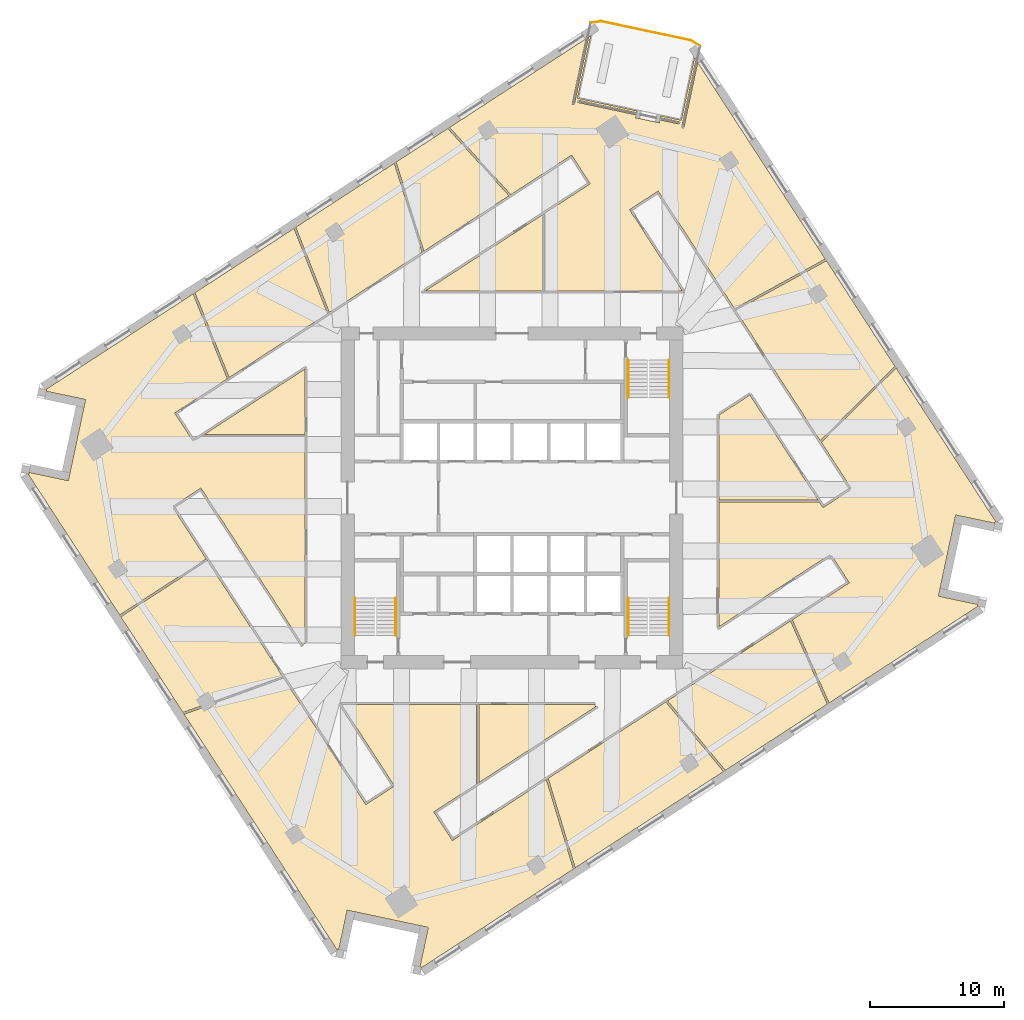
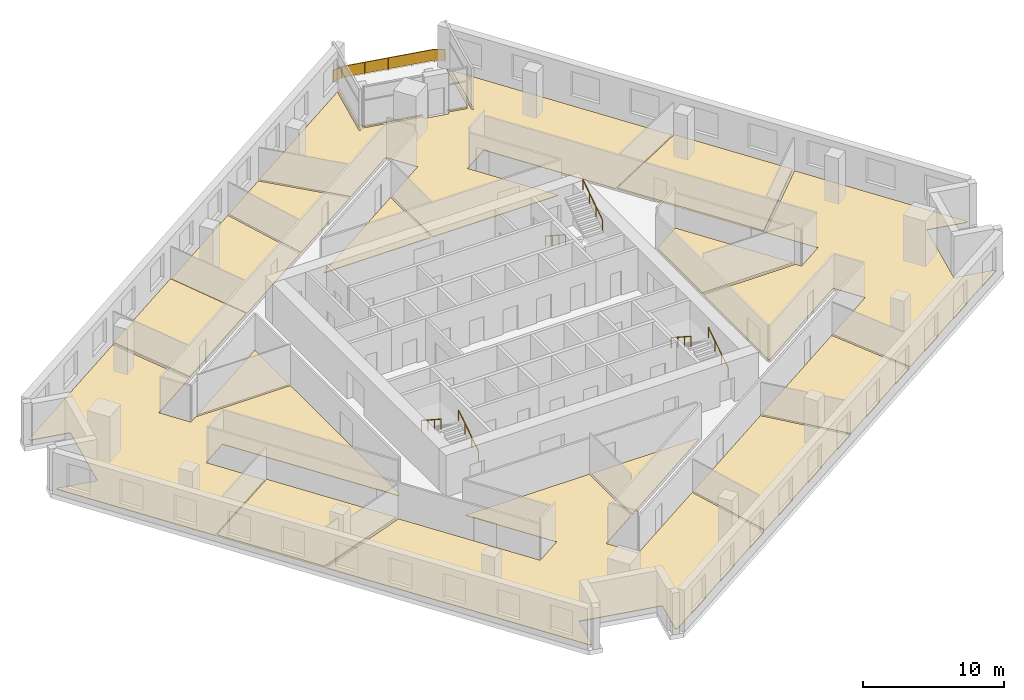
# One storey, part 11 of 12: 15 coverings, 7 railings.
"""IFC4 building model written with IfcOpenShell, lengths in metres."""

from ifc_helpers import new_model, si_unit, direction, frame, origin, origin_2d, place, context, subcontext, project, spatial, polyline, rectangle, circle, outline, extrude, material, layer, layer_set, type_object, element, save


model = new_model("IFC4")

# Units and contexts
model_context = context("Model", 3, precision=1e-05, world=origin(), true_north=direction((0.0, 1.0)))
body_context = subcontext(model_context, "Body", "Model", "MODEL_VIEW")
ifc_project = project(units=[si_unit("LENGTHUNIT", "METRE"), si_unit("AREAUNIT", "SQUARE_METRE"), si_unit("VOLUMEUNIT", "CUBIC_METRE"), si_unit("PLANEANGLEUNIT", "RADIAN"), si_unit("MASSUNIT", "GRAM", prefix="KILO")], contexts=[model_context])

# Site, building, storey
site_placement = place(None, origin())
site = spatial("IfcSite", under=ifc_project, at=site_placement, CompositionType="ELEMENT")
building_placement = place(site_placement, origin())
building = spatial("IfcBuilding", under=site, at=building_placement, Name="Dilmun Exchange Tower", CompositionType="ELEMENT")
storey_placement = place(building_placement, frame((0.0, 0.0, 159.699951171875)))
storey = spatial("IfcBuildingStorey", under=building, at=storey_placement, Name="L37", CompositionType="ELEMENT", Elevation=159.699951171875)

# Coverings
ifc_material_1 = material(Name="Carpet floor finish 50")
ifc_layer_1 = layer(ifc_material_1, 0.050048828125)
ifc_layer_set_1 = layer_set([ifc_layer_1], Name="Carpet floor finish 50")
covering_type_1 = type_object("IfcCoveringType", Name="Carpet floor finish 50", PredefinedType="FLOORING", material=ifc_layer_set_1)
covering_1_placement = place(storey_placement, origin())
element("IfcCovering", 1, at=covering_1_placement, inside=storey, type_object=covering_type_1, Name="Carpet floor finish 50 Open office 1", PredefinedType="FLOORING", context=body_context, shape_type="SweptSolid", body=[
    extrude(outline(polyline([(-23.27685546875, 0.72998046875), (-25.415283203125, -0.658935546875), (-22.8759765625, -4.5693359375), (-29.35791015625, -8.769775390625), (-36.230712890625, 1.813720703125), (-36.16162109375, 1.798828125), (-36.161376953125, 1.798828125), (-36.1611328125, 1.798828125), (-36.160888671875, 1.798828125), (-36.16064453125, 1.798828125), (-36.160400390625, 1.798828125), (-36.160400390625, 1.799072265625), (-36.16015625, 1.799072265625), (-36.159912109375, 1.799072265625), (-36.159912109375, 1.79931640625), (-36.15966796875, 1.79931640625), (-36.159423828125, 1.799560546875), (-36.159423828125, 1.7998046875), (-36.1591796875, 1.7998046875), (-36.1591796875, 1.800048828125), (-36.1591796875, 1.80029296875), (-36.1591796875, 1.80029296875), (-36.136474609375, 1.9072265625), (-33.203857421875, 1.283935546875), (-33.20361328125, 1.283935546875), (-33.20361328125, 1.283935546875), (-33.203369140625, 1.283935546875), (-33.203125, 1.283935546875), (-33.202880859375, 1.283935546875), (-33.20263671875, 1.2841796875), (-33.202392578125, 1.2841796875), (-33.202392578125, 1.2841796875), (-33.2021484375, 1.284423828125), (-33.2021484375, 1.284423828125), (-33.201904296875, 1.28466796875), (-33.201904296875, 1.284912109375), (-33.20166015625, 1.284912109375), (-33.20166015625, 1.28515625), (-33.20166015625, 1.285400390625), (-33.201416015625, 1.285400390625), (-33.076904296875, 1.872314453125), (-33.07666015625, 1.87255859375), (-33.07666015625, 1.872802734375), (-32.037109375, 6.76318359375), (-32.037109375, 6.76318359375), (-32.037109375, 6.763427734375), (-31.91259765625, 7.35009765625), (-31.912353515625, 7.35009765625), (-31.912353515625, 7.350341796875), (-31.912353515625, 7.3505859375), (-31.91259765625, 7.350830078125), (-31.91259765625, 7.35107421875), (-31.91259765625, 7.351318359375), (-31.91259765625, 7.351318359375), (-31.912841796875, 7.3515625), (-31.912841796875, 7.351806640625), (-31.9130859375, 7.351806640625), (-31.9130859375, 7.35205078125), (-31.913330078125, 7.35205078125), (-31.91357421875, 7.352294921875), (-31.91357421875, 7.352294921875), (-31.913818359375, 7.352294921875), (-31.9140625, 7.352294921875), (-34.846435546875, 7.9755859375), (-34.82373046875, 8.08251953125), (-34.82373046875, 8.082763671875), (-34.82373046875, 8.0830078125), (-34.82373046875, 8.083251953125), (-34.82373046875, 8.08349609375), (-34.82373046875, 8.08349609375), (-34.823974609375, 8.083740234375), (-34.823974609375, 8.083984375), (-34.82421875, 8.083984375), (-34.82421875, 8.084228515625), (-34.82421875, 8.08447265625), (-34.824462890625, 8.084716796875), (-34.82470703125, 8.084716796875), (-34.82470703125, 8.084716796875), (-34.824951171875, 8.0849609375), (-34.8251953125, 8.0849609375), (-34.8251953125, 8.0849609375), (-34.894775390625, 8.099609375), (-23.85595703125, 15.268310546875), (-21.294189453125, 8.91455078125), (-25.238037109375, 6.353515625), (-23.84912109375, 4.21484375), (-23.259033203125, 4.59814453125), (-15.47509765625, 4.59814453125), (-15.47509765625, -10.8701171875), (-15.6640625, -10.992919921875), (-23.27685546875, 0.72998046875)])), origin(), (0.0, 0.0, 1.0), 0.050048828125),
])
covering_2_placement = place(storey_placement, origin())
element("IfcCovering", 2, at=covering_2_placement, inside=storey, type_object=covering_type_1, Name="Carpet floor finish 50 Break-out lounge 1", PredefinedType="FLOORING", context=body_context, shape_type="SweptSolid", body=[
    extrude(outline(polyline([(-15.47509765625, 4.748046875), (-23.028076171875, 4.748046875), (-15.47509765625, 9.653076171875), (-15.47509765625, 4.748046875)])), origin(), (0.0, 0.0, 1.0), 0.050048828125),
])
covering_3_placement = place(storey_placement, origin())
element("IfcCovering", 3, at=covering_3_placement, inside=storey, type_object=covering_type_1, Name="Carpet floor finish 50 Open office 2", PredefinedType="FLOORING", context=body_context, shape_type="SweptSolid", body=[
    extrude(outline(polyline([(-17.07958984375, -13.4951171875), (-10.939453125, -22.9501953125), (-8.80078125, -21.561279296875), (-12.753173828125, -15.47509765625), (-2.6025390625, -15.47509765625), (-2.6025390625, -21.392822265625), (-5.85009765625, -23.501708984375), (-4.461181640625, -25.640380859375), (2.573486328125, -21.072021484375), (4.5986328125, -27.774169921875), (-6.79345703125, -35.17236328125), (-6.77880859375, -35.10302734375), (-6.77880859375, -35.102783203125), (-6.77880859375, -35.1025390625), (-6.77880859375, -35.102294921875), (-6.77880859375, -35.102294921875), (-6.77880859375, -35.10205078125), (-6.77880859375, -35.101806640625), (-6.779052734375, -35.1015625), (-6.779052734375, -35.1015625), (-6.779296875, -35.101318359375), (-6.779296875, -35.101318359375), (-6.779296875, -35.10107421875), (-6.779541015625, -35.100830078125), (-6.77978515625, -35.100830078125), (-6.77978515625, -35.1005859375), (-6.780029296875, -35.1005859375), (-6.7802734375, -35.1005859375), (-6.88720703125, -35.077880859375), (-6.263916015625, -32.1455078125), (-6.263916015625, -32.145263671875), (-6.263916015625, -32.14501953125), (-6.263916015625, -32.144775390625), (-6.263916015625, -32.14453125), (-6.263916015625, -32.144287109375), (-6.263916015625, -32.144287109375), (-6.26416015625, -32.14404296875), (-6.26416015625, -32.143798828125), (-6.264404296875, -32.143798828125), (-6.264404296875, -32.1435546875), (-6.2646484375, -32.143310546875), (-6.2646484375, -32.143310546875), (-6.264892578125, -32.143310546875), (-6.26513671875, -32.14306640625), (-6.26513671875, -32.14306640625), (-6.265380859375, -32.14306640625), (-6.852294921875, -32.018310546875), (-6.8525390625, -32.018310546875), (-6.8525390625, -32.018310546875), (-11.742919921875, -30.978759765625), (-11.7431640625, -30.978759765625), (-11.743408203125, -30.978759765625), (-12.329833984375, -30.85400390625), (-12.330078125, -30.85400390625), (-12.330322265625, -30.85400390625), (-12.33056640625, -30.85400390625), (-12.330810546875, -30.85400390625), (-12.330810546875, -30.85400390625), (-12.3310546875, -30.85400390625), (-12.331298828125, -30.854248046875), (-12.331298828125, -30.854248046875), (-12.33154296875, -30.8544921875), (-12.331787109375, -30.8544921875), (-12.331787109375, -30.8544921875), (-12.33203125, -30.854736328125), (-12.33203125, -30.85498046875), (-12.332275390625, -30.85498046875), (-12.332275390625, -30.855224609375), (-12.332275390625, -30.85546875), (-12.95556640625, -33.7880859375), (-13.0625, -33.765380859375), (-13.062744140625, -33.765380859375), (-13.06298828125, -33.765380859375), (-13.06298828125, -33.765380859375), (-13.063232421875, -33.765380859375), (-13.0634765625, -33.765380859375), (-13.063720703125, -33.765380859375), (-13.063720703125, -33.765380859375), (-13.06396484375, -33.765625), (-13.064208984375, -33.765625), (-13.064208984375, -33.765869140625), (-13.064453125, -33.76611328125), (-13.064697265625, -33.76611328125), (-13.064697265625, -33.766357421875), (-13.064697265625, -33.7666015625), (-13.064697265625, -33.7666015625), (-13.06494140625, -33.766845703125), (-13.07958984375, -33.836181640625), (-24.5380859375, -16.191650390625), (-17.07958984375, -13.4951171875)])), origin(), (0.0, 0.0, 1.0), 0.050048828125),
])
covering_4_placement = place(storey_placement, origin())
element("IfcCovering", 4, at=covering_4_placement, inside=storey, type_object=covering_type_1, Name="Carpet floor finish 50 Break-out lounge 2", PredefinedType="FLOORING", context=body_context, shape_type="SweptSolid", body=[
    extrude(outline(polyline([(-2.45263671875, -15.47509765625), (6.1884765625, -15.47509765625), (6.283935546875, -15.621826171875), (-2.45263671875, -21.29541015625), (-2.45263671875, -15.47509765625)])), origin(), (0.0, 0.0, 1.0), 0.050048828125),
])
covering_5_placement = place(storey_placement, origin())
element("IfcCovering", 5, at=covering_5_placement, inside=storey, type_object=covering_type_1, Name="Carpet floor finish 50 Break-out lounge 3", PredefinedType="FLOORING", context=body_context, shape_type="SweptSolid", body=[
    extrude(outline(polyline([(11.509033203125, -15.269287109375), (15.8349609375, -20.477294921875), (4.7294921875, -27.689208984375), (2.70458984375, -20.98681640625), (11.509033203125, -15.269287109375)])), origin(), (0.0, 0.0, 1.0), 0.050048828125),
])
covering_6_placement = place(storey_placement, origin())
element("IfcCovering", 6, at=covering_6_placement, inside=storey, type_object=covering_type_1, Name="Carpet floor finish 50 Garden lounge", PredefinedType="FLOORING", context=body_context, shape_type="SweptSolid", body=[
    extrude(outline(polyline([(2.45654296875, 15.47509765625), (2.45654296875, 21.298095703125), (5.85009765625, 23.501708984375), (4.461181640625, 25.640380859375), (-0.087646484375, 22.686279296875), (-4.6796875, 27.721435546875), (5.538818359375, 34.357666015625), (4.49658203125, 29.4541015625), (4.49658203125, 29.453857421875), (4.49658203125, 29.45361328125), (4.49658203125, 29.45361328125), (4.49658203125, 29.453369140625), (4.49658203125, 29.453125), (4.49658203125, 29.452880859375), (4.496826171875, 29.45263671875), (4.496826171875, 29.452392578125), (4.4970703125, 29.452392578125), (4.4970703125, 29.4521484375), (4.497314453125, 29.4521484375), (4.497314453125, 29.451904296875), (4.49755859375, 29.451904296875), (4.497802734375, 29.451904296875), (4.497802734375, 29.45166015625), (4.498046875, 29.45166015625), (4.654541015625, 29.41845703125), (4.65478515625, 29.41845703125), (4.655029296875, 29.41845703125), (4.6552734375, 29.41845703125), (4.655517578125, 29.41845703125), (4.655517578125, 29.41845703125), (4.65576171875, 29.41845703125), (4.656005859375, 29.418701171875), (4.656005859375, 29.418701171875), (4.65625, 29.418701171875), (4.656494140625, 29.4189453125), (4.656494140625, 29.419189453125), (4.65673828125, 29.419189453125), (4.65673828125, 29.41943359375), (4.656982421875, 29.419677734375), (4.656982421875, 29.419921875), (4.656982421875, 29.419921875), (5.7333984375, 34.48388671875), (5.903076171875, 34.593994140625), (4.906005859375, 29.90380859375), (9.368408203125, 28.955078125), (9.338623046875, 28.815185546875), (4.94970703125, 29.748291015625), (4.949462890625, 29.748291015625), (4.94921875, 29.748291015625), (4.94921875, 29.748291015625), (4.948974609375, 29.748291015625), (4.94873046875, 29.748291015625), (4.948486328125, 29.748291015625), (4.9482421875, 29.748046875), (4.947998046875, 29.748046875), (4.947998046875, 29.747802734375), (4.94775390625, 29.747802734375), (4.94775390625, 29.74755859375), (4.947509765625, 29.74755859375), (4.947509765625, 29.747314453125), (4.947509765625, 29.7470703125), (4.947265625, 29.7470703125), (4.947265625, 29.746826171875), (4.9140625, 29.59033203125), (4.9140625, 29.590087890625), (4.9140625, 29.58984375), (4.9140625, 29.589599609375), (4.9140625, 29.589599609375), (4.9140625, 29.58935546875), (4.9140625, 29.589111328125), (4.914306640625, 29.5888671875), (4.914306640625, 29.5888671875), (4.914306640625, 29.588623046875), (4.91455078125, 29.58837890625), (4.914794921875, 29.58837890625), (4.914794921875, 29.588134765625), (4.9150390625, 29.588134765625), (4.915283203125, 29.587890625), (4.915283203125, 29.587890625), (4.91552734375, 29.587890625), (9.3046875, 28.65478515625), (9.25927734375, 28.441650390625), (9.25927734375, 28.44140625), (9.25927734375, 28.44140625), (9.25927734375, 28.441162109375), (9.25927734375, 28.44091796875), (9.25927734375, 28.440673828125), (9.259521484375, 28.4404296875), (9.259521484375, 28.440185546875), (9.259521484375, 28.440185546875), (9.259765625, 28.43994140625), (9.259765625, 28.43994140625), (9.260009765625, 28.439697265625), (9.260009765625, 28.439697265625), (9.26025390625, 28.439453125), (9.260498046875, 28.439453125), (9.260498046875, 28.439208984375), (9.2607421875, 28.439208984375), (11.021484375, 28.065185546875), (11.021728515625, 28.065185546875), (11.02197265625, 28.065185546875), (11.022216796875, 28.065185546875), (11.022216796875, 28.065185546875), (11.0224609375, 28.065185546875), (11.022705078125, 28.065185546875), (11.02294921875, 28.065185546875), (11.02294921875, 28.0654296875), (11.023193359375, 28.0654296875), (11.023193359375, 28.065673828125), (11.0234375, 28.06591796875), (11.023681640625, 28.06591796875), (11.023681640625, 28.066162109375), (11.023681640625, 28.06640625), (11.023681640625, 28.06640625), (11.02392578125, 28.066650390625), (11.069091796875, 28.27978515625), (12.523681640625, 27.970703125), (12.52392578125, 27.970703125), (12.524169921875, 27.970703125), (12.5244140625, 27.970703125), (12.5244140625, 27.970703125), (12.524658203125, 27.970703125), (12.52490234375, 27.970703125), (12.525146484375, 27.970947265625), (12.525390625, 27.970947265625), (12.525390625, 27.97119140625), (12.525634765625, 27.97119140625), (12.525634765625, 27.971435546875), (12.52587890625, 27.971435546875), (12.52587890625, 27.9716796875), (12.52587890625, 27.971923828125), (12.526123046875, 27.971923828125), (12.526123046875, 27.97216796875), (12.559326171875, 28.128662109375), (12.559326171875, 28.12890625), (12.559326171875, 28.129150390625), (12.559326171875, 28.12939453125), (12.559326171875, 28.12939453125), (12.559326171875, 28.129638671875), (12.559326171875, 28.1298828125), (12.55908203125, 28.130126953125), (12.55908203125, 28.130126953125), (12.55908203125, 28.13037109375), (12.558837890625, 28.130615234375), (12.55859375, 28.130615234375), (12.55859375, 28.130859375), (12.558349609375, 28.130859375), (12.55810546875, 28.131103515625), (12.55810546875, 28.131103515625), (12.557861328125, 28.131103515625), (11.103271484375, 28.440185546875), (11.133056640625, 28.580078125), (12.660888671875, 28.25537109375), (13.657958984375, 32.94580078125), (13.76806640625, 32.776123046875), (12.691650390625, 27.712158203125), (12.691650390625, 27.7119140625), (12.691650390625, 27.7119140625), (12.691650390625, 27.711669921875), (12.691650390625, 27.71142578125), (12.691650390625, 27.711181640625), (12.69189453125, 27.7109375), (12.69189453125, 27.710693359375), (12.69189453125, 27.710693359375), (12.692138671875, 27.71044921875), (12.692138671875, 27.710205078125), (12.6923828125, 27.710205078125), (12.6923828125, 27.710205078125), (12.692626953125, 27.7099609375), (12.69287109375, 27.7099609375), (12.693115234375, 27.709716796875), (12.693115234375, 27.709716796875), (12.849609375, 27.676513671875), (12.849853515625, 27.676513671875), (12.85009765625, 27.676513671875), (12.850341796875, 27.676513671875), (12.8505859375, 27.676513671875), (12.8505859375, 27.676513671875), (12.850830078125, 27.676513671875), (12.85107421875, 27.6767578125), (12.851318359375, 27.6767578125), (12.851318359375, 27.677001953125), (12.8515625, 27.677001953125), (12.851806640625, 27.67724609375), (12.851806640625, 27.67724609375), (12.851806640625, 27.677490234375), (12.85205078125, 27.677734375), (12.85205078125, 27.677978515625), (12.85205078125, 27.677978515625), (13.894287109375, 32.58154296875), (23.4462890625, 17.872802734375), (16.652587890625, 14.15234375), (10.939453125, 22.9501953125), (8.80078125, 21.561279296875), (12.753173828125, 15.47509765625), (2.45654296875, 15.47509765625)])), origin(), (0.0, 0.0, 1.0), 0.050048828125),
])
covering_7_placement = place(storey_placement, origin())
element("IfcCovering", 7, at=covering_7_placement, inside=storey, type_object=covering_type_1, Name="Carpet floor finish 50 Break-out lounge 4", PredefinedType="FLOORING", context=body_context, shape_type="SweptSolid", body=[
    extrude(outline(polyline([(20.844482421875, -9.206787109375), (23.59716796875, -15.436279296875), (15.961669921875, -20.39501953125), (11.635498046875, -15.18701171875), (20.844482421875, -9.206787109375)])), origin(), (0.0, 0.0, 1.0), 0.050048828125),
])
covering_8_placement = place(storey_placement, origin())
element("IfcCovering", 8, at=covering_8_placement, inside=storey, type_object=covering_type_1, Name="Carpet floor finish 50 Open office 3", PredefinedType="FLOORING", context=body_context, shape_type="SweptSolid", body=[
    extrude(outline(polyline([(20.9716796875, -9.123779296875), (25.238037109375, -6.353515625), (23.84912109375, -4.21484375), (15.47509765625, -9.653076171875), (15.47509765625, -0.326416015625), (23.014892578125, -0.326416015625), (23.27685546875, -0.72998046875), (25.415283203125, 0.658935546875), (23.1474609375, 4.1513671875), (28.740478515625, 9.72021484375), (36.230712890625, -1.813720703125), (36.16162109375, -1.798828125), (36.161376953125, -1.798828125), (36.1611328125, -1.798828125), (36.160888671875, -1.798828125), (36.16064453125, -1.798828125), (36.160400390625, -1.798828125), (36.160400390625, -1.799072265625), (36.16015625, -1.799072265625), (36.159912109375, -1.799072265625), (36.159912109375, -1.79931640625), (36.15966796875, -1.79931640625), (36.159423828125, -1.799560546875), (36.159423828125, -1.7998046875), (36.1591796875, -1.7998046875), (36.1591796875, -1.800048828125), (36.1591796875, -1.80029296875), (36.1591796875, -1.80029296875), (36.136474609375, -1.9072265625), (33.203857421875, -1.283935546875), (33.20361328125, -1.283935546875), (33.20361328125, -1.283935546875), (33.203369140625, -1.283935546875), (33.203125, -1.283935546875), (33.202880859375, -1.283935546875), (33.20263671875, -1.2841796875), (33.202392578125, -1.2841796875), (33.202392578125, -1.2841796875), (33.2021484375, -1.284423828125), (33.2021484375, -1.284423828125), (33.201904296875, -1.28466796875), (33.201904296875, -1.284912109375), (33.20166015625, -1.284912109375), (33.20166015625, -1.28515625), (33.20166015625, -1.285400390625), (33.201416015625, -1.285400390625), (33.076904296875, -1.872314453125), (33.07666015625, -1.87255859375), (33.07666015625, -1.872802734375), (32.037109375, -6.76318359375), (32.037109375, -6.76318359375), (32.037109375, -6.763427734375), (31.91259765625, -7.35009765625), (31.912353515625, -7.35009765625), (31.912353515625, -7.350341796875), (31.912353515625, -7.3505859375), (31.91259765625, -7.350830078125), (31.91259765625, -7.35107421875), (31.91259765625, -7.351318359375), (31.91259765625, -7.351318359375), (31.912841796875, -7.3515625), (31.912841796875, -7.351806640625), (31.9130859375, -7.351806640625), (31.9130859375, -7.35205078125), (31.913330078125, -7.35205078125), (31.91357421875, -7.352294921875), (31.91357421875, -7.352294921875), (31.913818359375, -7.352294921875), (31.9140625, -7.352294921875), (34.846435546875, -7.9755859375), (34.82373046875, -8.08251953125), (34.82373046875, -8.082763671875), (34.82373046875, -8.0830078125), (34.82373046875, -8.083251953125), (34.82373046875, -8.08349609375), (34.82373046875, -8.08349609375), (34.823974609375, -8.083740234375), (34.823974609375, -8.083984375), (34.82421875, -8.083984375), (34.82421875, -8.084228515625), (34.82421875, -8.08447265625), (34.824462890625, -8.084716796875), (34.82470703125, -8.084716796875), (34.82470703125, -8.084716796875), (34.824951171875, -8.0849609375), (34.8251953125, -8.0849609375), (34.8251953125, -8.0849609375), (34.894775390625, -8.099609375), (23.724609375, -15.353759765625), (20.9716796875, -9.123779296875)])), origin(), (0.0, 0.0, 1.0), 0.050048828125),
])
ifc_material_2 = material(Name="Raised access floor 150")
ifc_layer_2 = layer(ifc_material_2, 0.14990234375)
ifc_layer_set_2 = layer_set([ifc_layer_2], Name="Raised access floor 150")
covering_type_2 = type_object("IfcCoveringType", Name="Raised access floor 150", PredefinedType="FLOORING", material=ifc_layer_set_2)
covering_9_placement = place(storey_placement, origin())
element("IfcCovering", 9, at=covering_9_placement, inside=storey, type_object=covering_type_2, Name="Raised access floor 150 Data room 1", PredefinedType="FLOORING", context=body_context, shape_type="SweptSolid", body=[
    extrude(outline(polyline([(-22.794189453125, -4.695068359375), (-17.163330078125, -13.365966796875), (-24.6220703125, -16.0625), (-29.276123046875, -8.8955078125), (-22.794189453125, -4.695068359375)])), origin(), (0.0, 0.0, 1.0), 0.150146484375),
])
covering_10_placement = place(storey_placement, origin())
element("IfcCovering", 10, at=covering_10_placement, inside=storey, type_object=covering_type_2, Name="Raised access floor 150 Data room 2", PredefinedType="FLOORING", context=body_context, shape_type="SweptSolid", body=[
    extrude(outline(polyline([(-13.792724609375, 13.7861328125), (-21.166015625, 8.997802734375), (-23.727783203125, 15.3515625), (-16.311767578125, 20.16748046875), (-13.792724609375, 13.7861328125)])), origin(), (0.0, 0.0, 1.0), 0.150146484375),
])
covering_11_placement = place(storey_placement, origin())
element("IfcCovering", 11, at=covering_11_placement, inside=storey, type_object=covering_type_2, Name="Raised access floor 150 Data room 3", PredefinedType="FLOORING", context=body_context, shape_type="SweptSolid", body=[
    extrude(outline(polyline([(15.47509765625, 6.1884765625), (17.802490234375, 7.699951171875), (22.91748046875, -0.17626953125), (15.47509765625, -0.17626953125), (15.47509765625, 6.1884765625)])), origin(), (0.0, 0.0, 1.0), 0.150146484375),
])
covering_12_placement = place(storey_placement, origin())
element("IfcCovering", 12, at=covering_12_placement, inside=storey, type_object=covering_type_2, Name="Raised access floor 150 Data room 4", PredefinedType="FLOORING", context=body_context, shape_type="SweptSolid", body=[
    extrude(outline(polyline([(23.06396484375, 4.27978515625), (16.734619140625, 14.026123046875), (23.5283203125, 17.74658203125), (28.656982421875, 9.848876953125), (23.06396484375, 4.27978515625)])), origin(), (0.0, 0.0, 1.0), 0.150146484375),
])

# Railings
ifc_material_3 = material(Name="Stainless steel", Category="steel")
railing_type_1 = type_object("IfcRailingType", Name="Stair handrail 900", PredefinedType="HANDRAIL", material=ifc_material_3)
railing_1_placement = place(storey_placement, frame((8.699951171875, 10.300048828125, 0.181884765625)))
element("IfcRailing", 13, at=railing_1_placement, inside=storey, type_object=railing_type_1, Name="L37 ST1 stair handrail 1", PredefinedType="HANDRAIL", context=body_context, shape_type="SweptSolid", body=[
    extrude(circle(Radius=0.02392578125, at=origin_2d()), frame((0.0, 0.0, 0.8759765625), z_axis=(0.0, -0.838705829183, 0.544584733623), x_axis=(1.0, 0.0, 0.0)), (0.0, 0.0, 1.0), 3.338623046875),
    extrude(circle(Radius=0.02099609375, at=origin_2d()), origin(), (0.0, 0.0, 1.0), 0.851806640625),
    extrude(circle(Radius=0.02099609375, at=origin_2d()), frame((0.0, -0.933349609375, 0.60595703125)), (0.0, 0.0, 1.0), 0.851806640625),
    extrude(circle(Radius=0.02099609375, at=origin_2d()), frame((0.0, -1.86669921875, 1.212158203125)), (0.0, 0.0, 1.0), 0.851806640625),
    extrude(circle(Radius=0.02099609375, at=origin_2d()), frame((0.0, -2.800048828125, 1.818115234375)), (0.0, 0.0, 1.0), 0.851806640625),
])
for number, where, name in (
    (14, (11.75, 7.5, 2.181884765625), "L37 ST1 stair handrail 2"),
    (15, (-8.699951171875, -10.300048828125, 0.181884765625), "L37 ST2 stair handrail 1"),
):
    element("IfcRailing", number, at=place(storey_placement, frame(where)), inside=storey, type_object=railing_type_1, Name=name, PredefinedType="HANDRAIL", context=body_context, shape_type="SweptSolid", body=[
        extrude(circle(Radius=0.02392578125, at=origin_2d()), frame((0.0, 0.0, 0.8759765625), z_axis=(0.0, 0.838705829183, 0.544584733623), x_axis=(-1.0, 0.0, 0.0)), (0.0, 0.0, 1.0), 3.338623046875),
        extrude(circle(Radius=0.02099609375, at=origin_2d()), origin(), (0.0, 0.0, 1.0), 0.851806640625),
        extrude(circle(Radius=0.02099609375, at=origin_2d()), frame((0.0, 0.933349609375, 0.60595703125)), (0.0, 0.0, 1.0), 0.851806640625),
        extrude(circle(Radius=0.02099609375, at=origin_2d()), frame((0.0, 1.86669921875, 1.212158203125)), (0.0, 0.0, 1.0), 0.851806640625),
        extrude(circle(Radius=0.02099609375, at=origin_2d()), frame((0.0, 2.800048828125, 1.818115234375)), (0.0, 0.0, 1.0), 0.851806640625),
    ])
railing_2_placement = place(storey_placement, frame((-11.75, -7.5, 2.181884765625)))
element("IfcRailing", 16, at=railing_2_placement, inside=storey, type_object=railing_type_1, Name="L37 ST2 stair handrail 2", PredefinedType="HANDRAIL", context=body_context, shape_type="SweptSolid", body=[
    extrude(circle(Radius=0.02392578125, at=origin_2d()), frame((0.0, 0.0, 0.8759765625), z_axis=(0.0, -0.838705829183, 0.544584733623), x_axis=(1.0, 0.0, 0.0)), (0.0, 0.0, 1.0), 3.338623046875),
    extrude(circle(Radius=0.02099609375, at=origin_2d()), origin(), (0.0, 0.0, 1.0), 0.851806640625),
    extrude(circle(Radius=0.02099609375, at=origin_2d()), frame((0.0, -0.933349609375, 0.60595703125)), (0.0, 0.0, 1.0), 0.851806640625),
    extrude(circle(Radius=0.02099609375, at=origin_2d()), frame((0.0, -1.86669921875, 1.212158203125)), (0.0, 0.0, 1.0), 0.851806640625),
    extrude(circle(Radius=0.02099609375, at=origin_2d()), frame((0.0, -2.800048828125, 1.818115234375)), (0.0, 0.0, 1.0), 0.851806640625),
])
railing_3_placement = place(storey_placement, frame((11.75, -10.300048828125, 0.181884765625)))
element("IfcRailing", 17, at=railing_3_placement, inside=storey, type_object=railing_type_1, Name="L37 ST3 stair handrail 1", PredefinedType="HANDRAIL", context=body_context, shape_type="SweptSolid", body=[
    extrude(circle(Radius=0.02392578125, at=origin_2d()), frame((0.0, 0.0, 0.8759765625), z_axis=(0.0, 0.838705829183, 0.544584733623), x_axis=(-1.0, 0.0, 0.0)), (0.0, 0.0, 1.0), 3.338623046875),
    extrude(circle(Radius=0.02099609375, at=origin_2d()), origin(), (0.0, 0.0, 1.0), 0.851806640625),
    extrude(circle(Radius=0.02099609375, at=origin_2d()), frame((0.0, 0.933349609375, 0.60595703125)), (0.0, 0.0, 1.0), 0.851806640625),
    extrude(circle(Radius=0.02099609375, at=origin_2d()), frame((0.0, 1.86669921875, 1.212158203125)), (0.0, 0.0, 1.0), 0.851806640625),
    extrude(circle(Radius=0.02099609375, at=origin_2d()), frame((0.0, 2.800048828125, 1.818115234375)), (0.0, 0.0, 1.0), 0.851806640625),
])
railing_4_placement = place(storey_placement, frame((8.699951171875, -7.5, 2.181884765625)))
element("IfcRailing", 18, at=railing_4_placement, inside=storey, type_object=railing_type_1, Name="L37 ST3 stair handrail 2", PredefinedType="HANDRAIL", context=body_context, shape_type="SweptSolid", body=[
    extrude(circle(Radius=0.02392578125, at=origin_2d()), frame((0.0, 0.0, 0.8759765625), z_axis=(0.0, -0.838705829183, 0.544584733623), x_axis=(1.0, 0.0, 0.0)), (0.0, 0.0, 1.0), 3.338623046875),
    extrude(circle(Radius=0.02099609375, at=origin_2d()), origin(), (0.0, 0.0, 1.0), 0.851806640625),
    extrude(circle(Radius=0.02099609375, at=origin_2d()), frame((0.0, -0.933349609375, 0.60595703125)), (0.0, 0.0, 1.0), 0.851806640625),
    extrude(circle(Radius=0.02099609375, at=origin_2d()), frame((0.0, -1.86669921875, 1.212158203125)), (0.0, 0.0, 1.0), 0.851806640625),
    extrude(circle(Radius=0.02099609375, at=origin_2d()), frame((0.0, -2.800048828125, 1.818115234375)), (0.0, 0.0, 1.0), 0.851806640625),
])

# Coverings
ifc_material_4 = material(Name="Stone floor finish 50", Category="masonry")
ifc_layer_3 = layer(ifc_material_4, 0.050048828125)
ifc_layer_set_3 = layer_set([ifc_layer_3], Name="Stone floor finish 50")
covering_type_3 = type_object("IfcCoveringType", Name="Stone floor finish 50", PredefinedType="FLOORING", material=ifc_layer_set_3)
covering_13_placement = place(storey_placement, origin())
element("IfcCovering", 19, at=covering_13_placement, inside=storey, type_object=covering_type_3, Name="Stone floor finish 50 Reception 1", PredefinedType="FLOORING", context=body_context, shape_type="SweptSolid", body=[
    extrude(outline(polyline([(-13.664306640625, 13.869384765625), (-16.18359375, 20.2509765625), (-8.803955078125, 25.043212890625), (-6.72802734375, 18.373779296875), (-13.664306640625, 13.869384765625)])), origin(), (0.0, 0.0, 1.0), 0.050048828125),
])
covering_14_placement = place(storey_placement, origin())
element("IfcCovering", 20, at=covering_14_placement, inside=storey, type_object=covering_type_3, Name="Stone floor finish 50 Reception 2", PredefinedType="FLOORING", context=body_context, shape_type="SweptSolid", body=[
    extrude(outline(polyline([(-0.215087890625, 22.603515625), (-6.597412109375, 18.458740234375), (-8.67333984375, 25.128173828125), (-4.807373046875, 27.638671875), (-0.215087890625, 22.603515625)])), origin(), (0.0, 0.0, 1.0), 0.050048828125),
])

# Railing
railing_type_2 = type_object("IfcRailingType", Name="Terrace guard 1100 stainless steel", PredefinedType="GUARDRAIL", material=ifc_material_3)
railing_5_placement = place(storey_placement, frame((5.87548828125, 35.546875, 0.0)))
element("IfcRailing", 21, at=railing_5_placement, inside=storey, type_object=railing_type_2, Name="Terrace guard 1", PredefinedType="GUARDRAIL", context=body_context, shape_type="SweptSolid", body=[
    extrude(circle(Radius=0.02392578125, at=origin_2d()), frame((0.0, 0.0, 1.076171875), z_axis=(0.989470726233, 0.14473314039, 0.0), x_axis=(-0.14473314039, 0.989470726233, 0.0)), (0.0, 0.0, 1.0), 0.79443359375),
    extrude(rectangle(XDim=0.011962890625, YDim=0.951904296875, at=origin_2d()), frame((0.0, 0.0, 0.576171875), z_axis=(0.989470726233, 0.14473314039, 0.0), x_axis=(-0.14473314039, 0.989470726233, 0.0)), (0.0, 0.0, 1.0), 0.79443359375),
    extrude(circle(Radius=0.02392578125, at=origin_2d()), frame((0.7861328125, 0.114990234375, 1.076171875), z_axis=(0.978148580922, -0.207907079342, 0.0), x_axis=(0.207907079342, 0.978148580922, 0.0)), (0.0, 0.0, 1.0), 6.888427734375),
    extrude(rectangle(XDim=0.011962890625, YDim=0.951904296875, at=origin_2d()), frame((0.7861328125, 0.114990234375, 0.576171875), z_axis=(0.978148580922, -0.207907079342, 0.0), x_axis=(0.207907079342, 0.978148580922, 0.0)), (0.0, 0.0, 1.0), 6.888427734375),
    extrude(circle(Radius=0.02392578125, at=origin_2d()), frame((7.52392578125, -1.317138671875, 1.076171875), z_axis=(0.844962614897, -0.534825372834, 0.0), x_axis=(0.534825372834, 0.844962614897, 0.0)), (0.0, 0.0, 1.0), 0.794189453125),
    extrude(rectangle(XDim=0.011962890625, YDim=0.951904296875, at=origin_2d()), frame((7.52392578125, -1.317138671875, 0.576171875), z_axis=(0.844962614897, -0.534825372834, 0.0), x_axis=(0.534825372834, 0.844962614897, 0.0)), (0.0, 0.0, 1.0), 0.794189453125),
    extrude(circle(Radius=0.02099609375, at=origin_2d()), origin(), (0.0, 0.0, 1.0), 1.052001953125),
    extrude(circle(Radius=0.02099609375, at=origin_2d()), frame((0.7861328125, 0.114990234375, 0.0)), (0.0, 0.0, 1.0), 1.052001953125),
    extrude(circle(Radius=0.02099609375, at=origin_2d()), frame((2.470703125, -0.2431640625, 0.0)), (0.0, 0.0, 1.0), 1.052001953125),
    extrude(circle(Radius=0.02099609375, at=origin_2d()), frame((4.155029296875, -0.60107421875, 0.0)), (0.0, 0.0, 1.0), 1.052001953125),
    extrude(circle(Radius=0.02099609375, at=origin_2d()), frame((5.83935546875, -0.958984375, 0.0)), (0.0, 0.0, 1.0), 1.052001953125),
    extrude(circle(Radius=0.02099609375, at=origin_2d()), frame((7.52392578125, -1.317138671875, 0.0)), (0.0, 0.0, 1.0), 1.052001953125),
    extrude(circle(Radius=0.02099609375, at=origin_2d()), frame((8.195068359375, -1.741943359375, 0.0)), (0.0, 0.0, 1.0), 1.052001953125),
])

# Covering
ifc_material_5 = material(Name="Tile floor finish 50")
ifc_layer_4 = layer(ifc_material_5, 0.050048828125)
ifc_layer_set_4 = layer_set([ifc_layer_4], Name="Tile floor finish 50")
covering_type_4 = type_object("IfcCoveringType", Name="Tile floor finish 50", PredefinedType="FLOORING", material=ifc_layer_set_4)
covering_15_placement = place(storey_placement, origin())
element("IfcCovering", 22, at=covering_15_placement, inside=storey, type_object=covering_type_4, Name="Tile floor finish 50 Pantry", PredefinedType="FLOORING", context=body_context, shape_type="SweptSolid", body=[
    extrude(outline(polyline([(-1.20849609375, 18.917724609375), (2.306640625, 21.20068359375), (2.306640625, 15.47509765625), (-6.510009765625, 15.47509765625), (-1.20849609375, 18.917724609375)])), origin(), (0.0, 0.0, 1.0), 0.050048828125),
])

save(model, "model.ifc")
